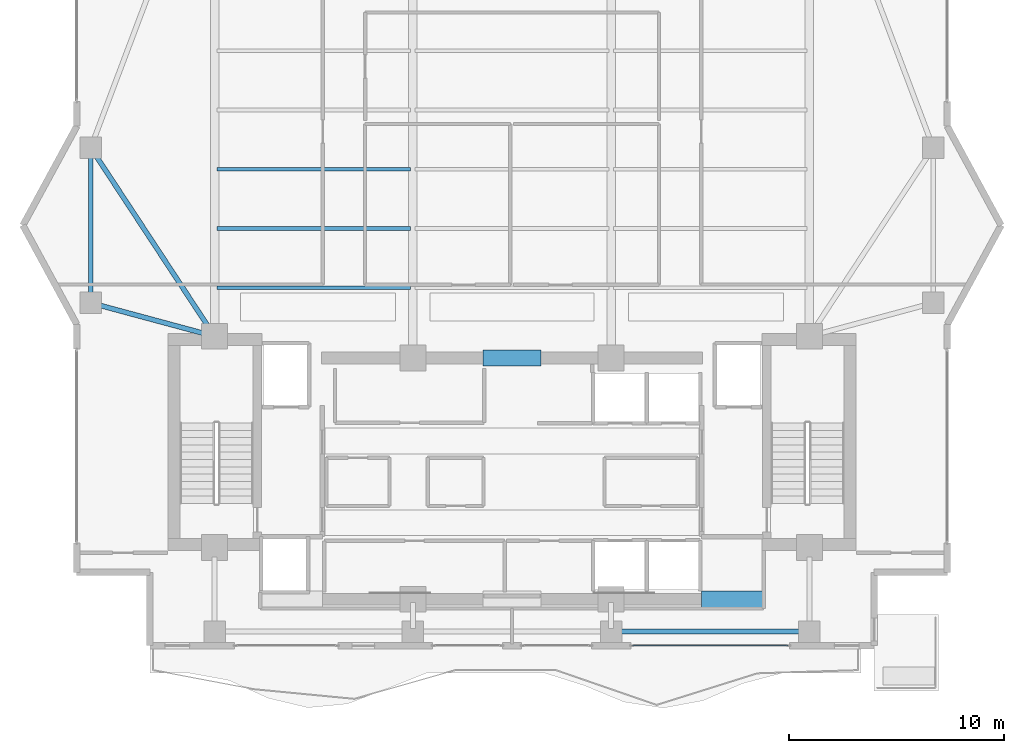
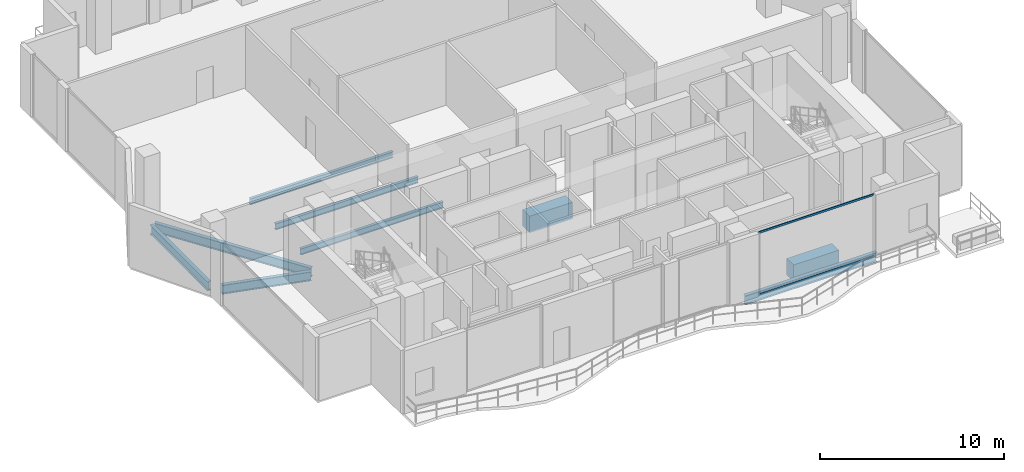
# One storey, part 5 of 23: 9 beams, 2 members, 1 element without a shape of its own.
"""IFC4 building model written with IfcOpenShell, lengths in metres."""

from ifc_helpers import new_model, si_unit, direction, frame, origin, origin_2d, place, context, subcontext, project, spatial, rectangle, hollow_rectangle, i_section, extrude, material, layer, layer_set, material_profile, profile_set, type_object, element, aggregate, save


model = new_model("IFC4")

# Units and contexts
model_context = context("Model", 3, precision=1e-05, world=origin(), true_north=direction((0.0, 1.0)))
body_context = subcontext(model_context, "Body", "Model", "MODEL_VIEW")
ifc_project = project(units=[si_unit("LENGTHUNIT", "METRE"), si_unit("AREAUNIT", "SQUARE_METRE"), si_unit("VOLUMEUNIT", "CUBIC_METRE"), si_unit("PLANEANGLEUNIT", "RADIAN"), si_unit("MASSUNIT", "GRAM", prefix="KILO")], contexts=[model_context])

# Site, building, storey
site_placement = place(None, origin())
site = spatial("IfcSite", under=ifc_project, at=site_placement, CompositionType="ELEMENT")
building_placement = place(site_placement, origin())
building = spatial("IfcBuilding", under=site, at=building_placement, Name="Zuhayl Quay Hotel", CompositionType="ELEMENT")
storey_placement = place(building_placement, frame((0.0, 0.0, 288.449951171875)))
storey = spatial("IfcBuildingStorey", under=building, at=storey_placement, Name="L73", CompositionType="ELEMENT", Elevation=288.449951171875)

# Beams
ifc_material_1 = material(Name="Steel ASTM A992 Grade 50", Category="steel")
ifc_material_profile_1 = material_profile(ifc_material_1, i_section(OverallWidth=0.22802734375, OverallDepth=0.60693359375, WebThickness=0.01123046875, FlangeThickness=0.017333984375, at=origin_2d()), Name="W24X76")
ifc_profile_set_1 = profile_set([ifc_material_profile_1], Name="Steel ASTM A992 Grade 50")
beam_type_1 = type_object("IfcBeamType", Name="BM_B3_W24X76", PredefinedType="BEAM", material=ifc_profile_set_1)
beam_1_placement = place(storey_placement, frame((5.06005859375, 0.64990234375, -0.5234375), z_axis=(1.0, 0.0, 0.0), x_axis=(0.0, 1.0, 0.0)))
element("IfcBeam", 1, at=beam_1_placement, inside=storey, type_object=beam_type_1, Name="L73 Floor Beam RG_L73_03", PredefinedType="BEAM", context=body_context, shape_type="SweptSolid", body=[
    extrude(i_section(OverallWidth=0.22802734375, OverallDepth=0.60693359375, WebThickness=0.01123046875, FlangeThickness=0.017333984375, at=origin_2d()), origin(), (0.0, 0.0, 1.0), 8.280029296875),
])
beam_2_placement = place(storey_placement, frame((-19.550048828125, 22.639892578125, -0.5234375), z_axis=(0.0, -1.0, 0.0), x_axis=(1.0, 0.0, 0.0)))
element("IfcBeam", 2, at=beam_2_placement, inside=storey, type_object=beam_type_1, Name="L73 Floor Beam RG_L73_11", PredefinedType="BEAM", context=body_context, shape_type="SweptSolid", body=[
    extrude(i_section(OverallWidth=0.22802734375, OverallDepth=0.60693359375, WebThickness=0.01123046875, FlangeThickness=0.017333984375, at=origin_2d()), origin(), (0.0, 0.0, 1.0), 6.27978515625),
])
beam_3_placement = place(storey_placement, frame((-19.10595703125, 15.7802734375, -0.5234375), z_axis=(0.965530205773, -0.26029103277, 0.0), x_axis=(0.26029103277, 0.965530205773, 0.0)))
element("IfcBeam", 3, at=beam_3_placement, inside=storey, type_object=beam_type_1, Name="L73 Floor Beam FG_W_L73_1", PredefinedType="BEAM", context=body_context, shape_type="SweptSolid", body=[
    extrude(i_section(OverallWidth=0.22802734375, OverallDepth=0.60693359375, WebThickness=0.01123046875, FlangeThickness=0.017333984375, at=origin_2d()), origin(), (0.0, 0.0, 1.0), 5.045166015625),
])
beam_4_placement = place(storey_placement, frame((-19.29736328125, 22.715576171875, -0.5234375), z_axis=(0.549177886661, -0.835705479701, 0.0), x_axis=(0.835705479701, 0.549177886661, 0.0)))
element("IfcBeam", 4, at=beam_4_placement, inside=storey, type_object=beam_type_1, Name="L73 Floor Beam FG_W_L73_2", PredefinedType="BEAM", context=body_context, shape_type="SweptSolid", body=[
    extrude(i_section(OverallWidth=0.22802734375, OverallDepth=0.60693359375, WebThickness=0.01123046875, FlangeThickness=0.017333984375, at=origin_2d()), origin(), (0.0, 0.0, 1.0), 9.560302734375),
])
ifc_material_2 = material(Name="Concrete C60/75", Category="concrete")
ifc_material_profile_2 = material_profile(ifc_material_2, rectangle(XDim=0.75, YDim=1.10009765625, at=origin_2d()), Name="RC750X1100")
ifc_profile_set_2 = profile_set([ifc_material_profile_2], Name="Concrete C60/75")
beam_type_2 = type_object("IfcBeamType", Name="BM_CB2_RC750", PredefinedType="T_BEAM", material=ifc_profile_set_2)
beam_5_placement = place(storey_placement, frame((8.800048828125, 2.14990234375, -0.77001953125), z_axis=(1.0, 0.0, 0.0), x_axis=(0.0, 1.0, 0.0)))
element("IfcBeam", 5, at=beam_5_placement, inside=storey, type_object=beam_type_2, Name="L73 Core Coupling Beam SE", PredefinedType="T_BEAM", context=body_context, shape_type="SweptSolid", body=[
    extrude(rectangle(XDim=0.75, YDim=1.10009765625, at=origin_2d()), origin(), (0.0, 0.0, 1.0), 2.849853515625),
])
beam_6_placement = place(storey_placement, frame((-1.35009765625, 13.35009765625, -0.77001953125), z_axis=(1.0, 0.0, 0.0), x_axis=(0.0, 1.0, 0.0)))
element("IfcBeam", 6, at=beam_6_placement, inside=storey, type_object=beam_type_2, Name="L73 Core Coupling Beam North", PredefinedType="T_BEAM", context=body_context, shape_type="SweptSolid", body=[
    extrude(rectangle(XDim=0.75, YDim=1.10009765625, at=origin_2d()), origin(), (0.0, 0.0, 1.0), 2.7001953125),
])
ifc_material_profile_3 = material_profile(ifc_material_1, i_section(OverallWidth=0.177978515625, OverallDepth=0.404052734375, WebThickness=0.007568359375, FlangeThickness=0.010986328125, at=origin_2d()), Name="W16X36")
ifc_profile_set_3 = profile_set([ifc_material_profile_3], Name="Steel ASTM A992 Grade 50")
beam_type_3 = type_object("IfcBeamType", Name="BM_J3_W16X36", PredefinedType="JOIST", material=ifc_profile_set_3)
for number, where, z_axis, x_axis, name in (
    (7, (-13.694091796875, 16.60009765625, -0.421875), (1.0, 0.0, 0.0), (0.0, 1.0, 0.0), "L73 Floor Beam FJ_L73_1_1"),
    (8, (-13.694091796875, 19.35009765625, -0.421875), (1.0, 0.0, 0.0), (0.0, 1.0, 0.0), "L73 Floor Beam FJ_L73_2_1"),
    (9, (-13.694091796875, 22.10009765625, -0.421875), (1.0, 0.0, 0.0), (0.0, 1.0, 0.0), "L73 Floor Beam FJ_L73_3_1"),
):
    element("IfcBeam", number, at=place(storey_placement, frame(where, z_axis=z_axis, x_axis=x_axis)), inside=storey, type_object=beam_type_3, Name=name, PredefinedType="JOIST", context=body_context, shape_type="SweptSolid", body=[
        extrude(i_section(OverallWidth=0.177978515625, OverallDepth=0.404052734375, WebThickness=0.007568359375, FlangeThickness=0.010986328125, at=origin_2d()), origin(), (0.0, 0.0, 1.0), 8.988037109375),
    ])

# Curtain wall, members
ifc_material_3 = material(Name="Anodised Aluminium 6063-T6", Category="aluminium")
ifc_layer = layer(ifc_material_3, 0.169921875, Name="Anodised Aluminium 6063-T6", Category="aluminium")
ifc_layer_set = layer_set([ifc_layer], Name="Anodised Aluminium 6063-T6")
curtain_wall_type = type_object("IfcCurtainWallType", Name="CW_SYS_Z4", PredefinedType="USERDEFINED", material=ifc_layer_set)
curtain_wall_placement = place(storey_placement, origin())
curtain_wall = element("IfcCurtainWall", 10, at=curtain_wall_placement, inside=storey, type_object=curtain_wall_type, Name="L73 Curtain Wall ENV_L73_S_CW1", ObjectType="UNITISED CURTAIN WALL", PredefinedType="USERDEFINED")
ifc_material_4 = material(Name="Black-anodised aluminium 6063-T6", Category="aluminium")
ifc_material_profile_4 = material_profile(ifc_material_4, hollow_rectangle(XDim=0.054931640625, YDim=0.1298828125, WallThickness=0.0029296875, at=origin_2d()), Name="ALU130X55")
ifc_profile_set_4 = profile_set([ifc_material_profile_4], Name="Black-anodised aluminium 6063-T6")
member_type = type_object("IfcMemberType", Name="MB_CW_TRN_130", PredefinedType="USERDEFINED", material=ifc_profile_set_4)
member_1_placement = place(storey_placement, frame((12.81494140625, 0.0, 0.027587890625), z_axis=(-1.0, 0.0, 0.0), x_axis=(0.0, -1.0, 0.0)))
member_1 = element("IfcMember", 11, at=member_1_placement, type_object=member_type, Name="CW-Z4 transom 1.1", ObjectType="TRANSOM", PredefinedType="USERDEFINED", context=body_context, shape_type="SweptSolid", body=[
    extrude(hollow_rectangle(XDim=0.054931640625, YDim=0.1298828125, WallThickness=0.0029296875, at=origin_2d()), origin(), (0.0, 0.0, 1.0), 7.22998046875),
])
member_2_placement = place(storey_placement, frame((12.81494140625, 0.0, 4.152587890625), z_axis=(-1.0, 0.0, 0.0), x_axis=(0.0, -1.0, 0.0)))
member_2 = element("IfcMember", 12, at=member_2_placement, type_object=member_type, Name="CW-Z4 transom 1.2", ObjectType="TRANSOM", PredefinedType="USERDEFINED", context=body_context, shape_type="SweptSolid", body=[
    extrude(hollow_rectangle(XDim=0.054931640625, YDim=0.1298828125, WallThickness=0.0029296875, at=origin_2d()), origin(), (0.0, 0.0, 1.0), 7.22998046875),
])
aggregate(curtain_wall, [member_1, member_2])

save(model, "model.ifc")
